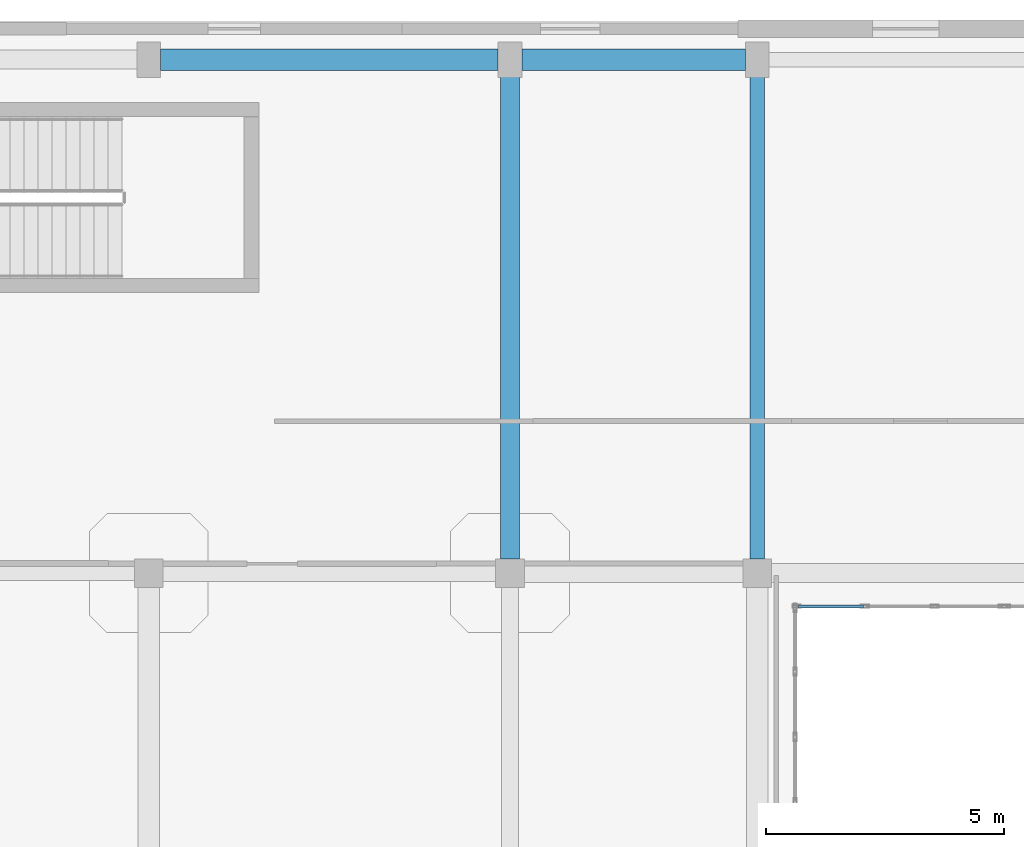
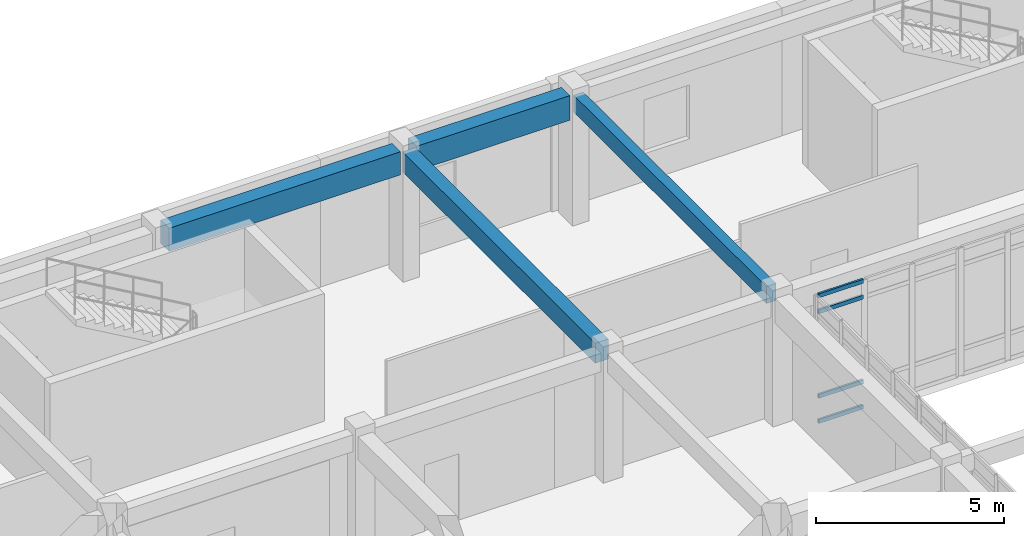
# One storey, part 95 of 142: 4 beams, 4 members, 1 element without a shape of its own.
"""IFC4 building model written with IfcOpenShell, lengths in metres."""

from ifc_helpers import new_model, si_unit, direction, frame, origin, origin_2d, place, context, subcontext, project, spatial, rectangle, hollow_rectangle, extrude, material, layer, layer_set, material_profile, profile_set, type_object, element, aggregate, save


model = new_model("IFC4")

# Units and contexts
model_context = context("Model", 3, precision=1e-05, world=origin(), true_north=direction((0.0, 1.0)))
body_context = subcontext(model_context, "Body", "Model", "MODEL_VIEW")
ifc_project = project(units=[si_unit("LENGTHUNIT", "METRE"), si_unit("AREAUNIT", "SQUARE_METRE"), si_unit("VOLUMEUNIT", "CUBIC_METRE"), si_unit("PLANEANGLEUNIT", "RADIAN"), si_unit("MASSUNIT", "GRAM", prefix="KILO")], contexts=[model_context])

# Site, building, storey
site_placement = place(None, origin())
site = spatial("IfcSite", under=ifc_project, at=site_placement, CompositionType="ELEMENT")
building_placement = place(site_placement, origin())
building = spatial("IfcBuilding", under=site, at=building_placement, Name="Valcora Specialist Clinic", CompositionType="ELEMENT")
storey_placement = place(building_placement, frame((0.0, 0.0, 5.10009765625)))
storey = spatial("IfcBuildingStorey", under=building, at=storey_placement, Name="L01", CompositionType="ELEMENT", Elevation=5.10009765625)

# Beams
ifc_material_1 = material(Name="Concrete C40/50", Category="concrete")
ifc_material_profile_1 = material_profile(ifc_material_1, rectangle(XDim=0.300048828125, YDim=0.550048828125, at=origin_2d()), Name="RC-BM-300X550")
ifc_profile_set_1 = profile_set([ifc_material_profile_1], Name="Concrete C40/50")
beam_type_1 = type_object("IfcBeamType", Name="TY-BM-RC300X550", PredefinedType="BEAM", material=ifc_profile_set_1)
beam_1_placement = place(storey_placement, frame((111.199951171875, 99.5, 3.869873046875), z_axis=(0.0, 1.0, 0.0), x_axis=(-1.0, 0.0, 0.0)))
element("IfcBeam", 1, at=beam_1_placement, inside=storey, type_object=beam_type_1, Name="Beam BM-L01-0683", PredefinedType="BEAM", context=body_context, shape_type="SweptSolid", body=[
    extrude(rectangle(XDim=0.300048828125, YDim=0.550048828125, at=origin_2d()), origin(), (0.0, 0.0, 1.0), 10.25),
])
ifc_material_profile_2 = material_profile(ifc_material_1, rectangle(XDim=0.39990234375, YDim=0.64990234375, at=origin_2d()), Name="RC-BM-400X650")
ifc_profile_set_2 = profile_set([ifc_material_profile_2], Name="Concrete C40/50")
beam_type_2 = type_object("IfcBeamType", Name="TY-BM-RC400X650", PredefinedType="BEAM", material=ifc_profile_set_2)
beam_2_placement = place(storey_placement, frame((106.0, 99.5, 3.81982421875), z_axis=(0.0, 1.0, 0.0), x_axis=(-1.0, 0.0, 0.0)))
element("IfcBeam", 2, at=beam_2_placement, inside=storey, type_object=beam_type_2, Name="Beam BM-L01-0679", PredefinedType="BEAM", context=body_context, shape_type="SweptSolid", body=[
    extrude(rectangle(XDim=0.39990234375, YDim=0.64990234375, at=origin_2d()), origin(), (0.0, 0.0, 1.0), 10.25),
])
ifc_material_profile_3 = material_profile(ifc_material_1, rectangle(XDim=0.449951171875, YDim=0.75, at=origin_2d()), Name="RC-BM-450X750")
ifc_profile_set_3 = profile_set([ifc_material_profile_3], Name="Concrete C40/50")
beam_type_3 = type_object("IfcBeamType", Name="TY-BM-RC450X750", PredefinedType="BEAM", material=ifc_profile_set_3)
beam_3_placement = place(storey_placement, frame((98.64990234375, 110.0, 3.77001953125), z_axis=(1.0, 0.0, 0.0), x_axis=(0.0, 1.0, 0.0)))
element("IfcBeam", 3, at=beam_3_placement, inside=storey, type_object=beam_type_3, Name="Beam BM-L01-0653", PredefinedType="BEAM", context=body_context, shape_type="SweptSolid", body=[
    extrude(rectangle(XDim=0.449951171875, YDim=0.75, at=origin_2d()), origin(), (0.0, 0.0, 1.0), 7.10009765625),
])
ifc_material_profile_4 = material_profile(ifc_material_1, rectangle(XDim=0.449951171875, YDim=0.800048828125, at=origin_2d()), Name="RC-BM-450X800")
ifc_profile_set_4 = profile_set([ifc_material_profile_4], Name="Concrete C40/50")
beam_type_4 = type_object("IfcBeamType", Name="TY-BM-RC450X800", PredefinedType="BEAM", material=ifc_profile_set_4)
beam_4_placement = place(storey_placement, frame((106.25, 110.0, 3.744873046875), z_axis=(1.0, 0.0, 0.0), x_axis=(0.0, 1.0, 0.0)))
element("IfcBeam", 4, at=beam_4_placement, inside=storey, type_object=beam_type_4, Name="Beam BM-L01-0654", PredefinedType="BEAM", context=body_context, shape_type="SweptSolid", body=[
    extrude(rectangle(XDim=0.449951171875, YDim=0.800048828125, at=origin_2d()), origin(), (0.0, 0.0, 1.0), 4.699951171875),
])

# Curtain wall, members
ifc_material_2 = material(Name="Anodized Bronze Aluminium 6063-T6", Category="aluminium")
ifc_layer = layer(ifc_material_2, 0.175048828125)
ifc_layer_set = layer_set([ifc_layer], Name="Anodized Bronze Aluminium 6063-T6")
curtain_wall_type = type_object("IfcCurtainWallType", Name="TY-CW-CRT15", PredefinedType="NOTDEFINED", material=ifc_layer_set)
curtain_wall_placement = place(storey_placement, origin())
curtain_wall = element("IfcCurtainWall", 5, at=curtain_wall_placement, inside=storey, type_object=curtain_wall_type, Name="Curtain wall CW-L01-081", PredefinedType="NOTDEFINED")
ifc_material_profile_5 = material_profile(ifc_material_2, hollow_rectangle(XDim=0.06494140625, YDim=0.1298828125, WallThickness=0.00390625, at=origin_2d()), Name="AL-TRN-65X130")
ifc_profile_set_5 = profile_set([ifc_material_profile_5], Name="Anodized Bronze Aluminium 6063-T6")
member_type = type_object("IfcMemberType", Name="TY-CWT-65X130", PredefinedType="USERDEFINED", material=ifc_profile_set_5)
member_1_placement = place(storey_placement, frame((113.43408203125, 98.5, 0.032470703125), z_axis=(-1.0, 0.0, 0.0), x_axis=(0.0, -1.0, 0.0)))
member_1 = element("IfcMember", 6, at=member_1_placement, type_object=member_type, Name="CW-CRT-15 transom 3.1", ObjectType="TRANSOM", PredefinedType="USERDEFINED", context=body_context, shape_type="SweptSolid", body=[
    extrude(hollow_rectangle(XDim=0.06494140625, YDim=0.1298828125, WallThickness=0.00390625, at=origin_2d()), origin(), (0.0, 0.0, 1.0), 1.369140625),
])
member_2_placement = place(storey_placement, frame((113.43408203125, 98.5, 0.849853515625), z_axis=(-1.0, 0.0, 0.0), x_axis=(0.0, -1.0, 0.0)))
member_2 = element("IfcMember", 7, at=member_2_placement, type_object=member_type, Name="CW-CRT-15 transom 3.2", ObjectType="TRANSOM", PredefinedType="USERDEFINED", context=body_context, shape_type="SweptSolid", body=[
    extrude(hollow_rectangle(XDim=0.06494140625, YDim=0.1298828125, WallThickness=0.00390625, at=origin_2d()), origin(), (0.0, 0.0, 1.0), 1.369140625),
])
member_3_placement = place(storey_placement, frame((113.43408203125, 98.5, 3.594970703125), z_axis=(-1.0, 0.0, 0.0), x_axis=(0.0, -1.0, 0.0)))
member_3 = element("IfcMember", 8, at=member_3_placement, type_object=member_type, Name="CW-CRT-15 transom 3.3", ObjectType="TRANSOM", PredefinedType="USERDEFINED", context=body_context, shape_type="SweptSolid", body=[
    extrude(hollow_rectangle(XDim=0.06494140625, YDim=0.1298828125, WallThickness=0.00390625, at=origin_2d()), origin(), (0.0, 0.0, 1.0), 1.369140625),
])
member_4_placement = place(storey_placement, frame((113.43408203125, 98.5, 4.1123046875), z_axis=(-1.0, 0.0, 0.0), x_axis=(0.0, -1.0, 0.0)))
member_4 = element("IfcMember", 9, at=member_4_placement, type_object=member_type, Name="CW-CRT-15 transom 3.4", ObjectType="TRANSOM", PredefinedType="USERDEFINED", context=body_context, shape_type="SweptSolid", body=[
    extrude(hollow_rectangle(XDim=0.06494140625, YDim=0.1298828125, WallThickness=0.00390625, at=origin_2d()), origin(), (0.0, 0.0, 1.0), 1.369140625),
])
aggregate(curtain_wall, [member_1, member_2, member_3, member_4])

save(model, "model.ifc")
